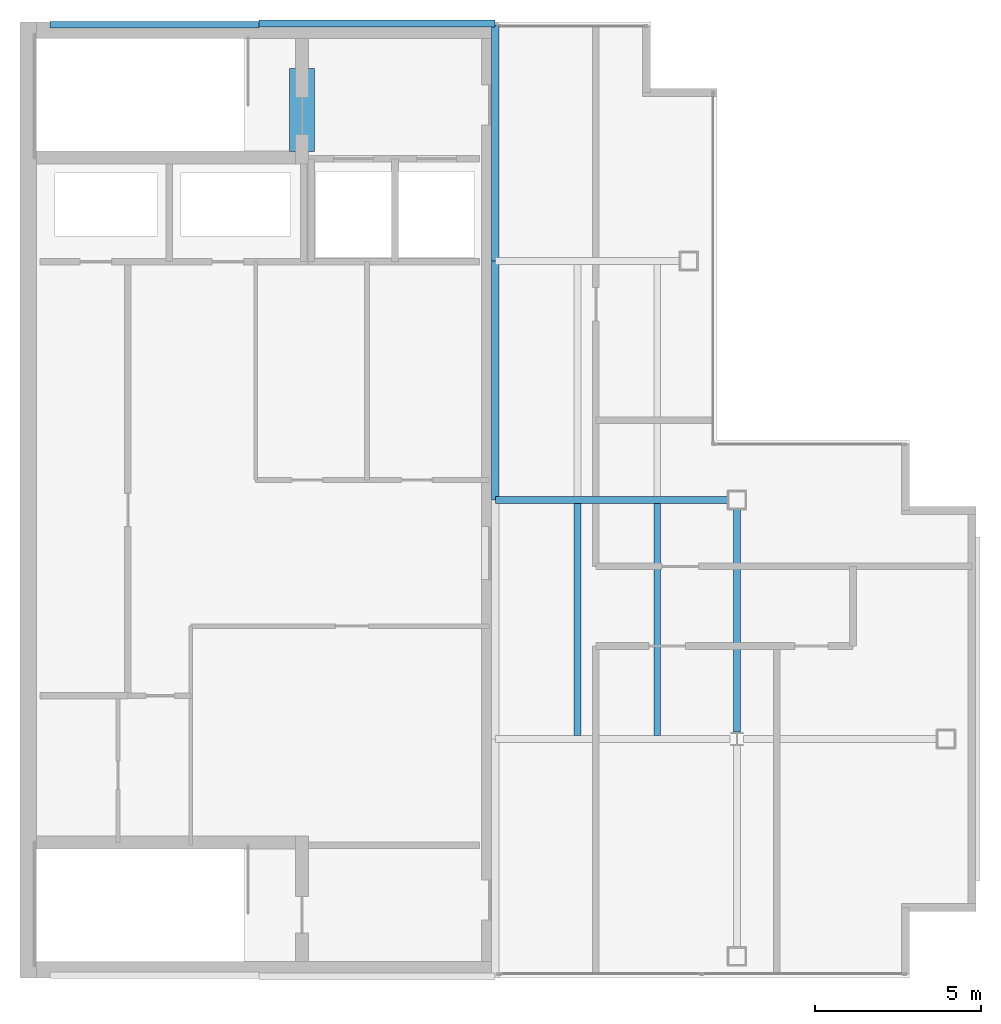
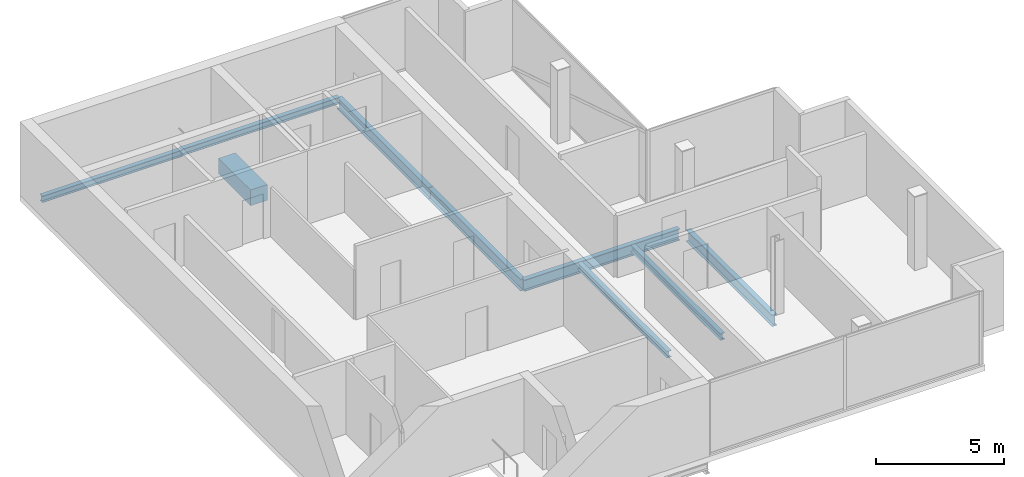
# One storey, part 7 of 15: 9 beams.
"""IFC4 building model written with IfcOpenShell, lengths in metres."""

from ifc_helpers import new_model, si_unit, direction, frame, origin, origin_2d, place, context, subcontext, project, spatial, rectangle, i_section, extrude, material, material_profile, profile_set, type_object, element, save


model = new_model("IFC4")

# Units and contexts
model_context = context("Model", 3, precision=1e-05, world=origin(), true_north=direction((0.0, 1.0)))
body_context = subcontext(model_context, "Body", "Model", "MODEL_VIEW")
ifc_project = project(units=[si_unit("LENGTHUNIT", "METRE"), si_unit("AREAUNIT", "SQUARE_METRE"), si_unit("VOLUMEUNIT", "CUBIC_METRE"), si_unit("PLANEANGLEUNIT", "RADIAN"), si_unit("MASSUNIT", "GRAM", prefix="KILO")], contexts=[model_context])

# Site, building, storey
site_placement = place(None, origin())
site = spatial("IfcSite", under=ifc_project, at=site_placement, CompositionType="ELEMENT")
building_placement = place(site_placement, origin())
building = spatial("IfcBuilding", under=site, at=building_placement, Name="Cobrela Telecom Tower", CompositionType="ELEMENT")
storey_placement = place(building_placement, frame((0.0, 0.0, 301.35009765625)))
storey = spatial("IfcBuildingStorey", under=building, at=storey_placement, Name="L79", CompositionType="ELEMENT", Elevation=301.35009765625)

# Beams
ifc_material_1 = material(Name="Concrete C40/50", Category="concrete")
ifc_material_profile_1 = material_profile(ifc_material_1, rectangle(XDim=0.75, YDim=0.75, at=origin_2d()), Name="RC 750x750")
ifc_profile_set_1 = profile_set([ifc_material_profile_1], Name="Concrete C40/50")
beam_type_1 = type_object("IfcBeamType", Name="BM-COUP-RC", PredefinedType="LINTEL", material=ifc_profile_set_1)
beam_1_placement = place(storey_placement, frame((8.5, 32.10009765625, -0.610107421875), z_axis=(0.0, 1.0, 0.0), x_axis=(-1.0, 0.0, 0.0)))
element("IfcBeam", 1, at=beam_1_placement, inside=storey, type_object=beam_type_1, Name="L79 Core Coupling Lintel Beam", PredefinedType="LINTEL", context=body_context, shape_type="SweptSolid", body=[
    extrude(rectangle(XDim=0.75, YDim=0.75, at=origin_2d()), origin(), (0.0, 0.0, 1.0), 2.5),
])
ifc_material_2 = material(Name="Steel ASTM A992 Grade 50", Category="steel")
ifc_material_profile_2 = material_profile(ifc_material_2, i_section(OverallWidth=0.212890625, OverallDepth=0.549072265625, WebThickness=0.0146484375, FlangeThickness=0.023681640625, FilletRadius=0.013916015625, at=origin_2d()), Name="W21X93")
ifc_profile_set_2 = profile_set([ifc_material_profile_2], Name="Steel ASTM A992 Grade 50")
beam_type_2 = type_object("IfcBeamType", Name="BM-GIRD-08", PredefinedType="USERDEFINED", material=ifc_profile_set_2)
beam_2_placement = place(storey_placement, frame((14.324951171875, 21.60009765625, -0.53466796875), z_axis=(1.0, 0.0, 0.0), x_axis=(0.0, 1.0, 0.0)))
element("IfcBeam", 2, at=beam_2_placement, inside=storey, type_object=beam_type_2, Name="L79 Primary Girder X05", ObjectType="GIRDER", PredefinedType="USERDEFINED", context=body_context, shape_type="SweptSolid", body=[
    extrude(i_section(OverallWidth=0.212890625, OverallDepth=0.549072265625, WebThickness=0.0146484375, FlangeThickness=0.023681640625, FilletRadius=0.013916015625, at=origin_2d()), origin(), (0.0, 0.0, 1.0), 6.9951171875),
])
beam_3_placement = place(storey_placement, frame((14.320068359375, 21.60498046875, -0.53466796875), z_axis=(0.0, 1.0, 0.0), x_axis=(-1.0, 0.0, 0.0)))
element("IfcBeam", 3, at=beam_3_placement, inside=storey, type_object=beam_type_2, Name="L79 Primary Girder Y11", ObjectType="GIRDER", PredefinedType="USERDEFINED", context=body_context, shape_type="SweptSolid", body=[
    extrude(i_section(OverallWidth=0.212890625, OverallDepth=0.549072265625, WebThickness=0.0146484375, FlangeThickness=0.023681640625, FilletRadius=0.013916015625, at=origin_2d()), origin(), (0.0, 0.0, 1.0), 7.18994140625),
])
beam_4_placement = place(storey_placement, frame((14.320068359375, 28.804931640625, -0.53466796875), z_axis=(0.0, 1.0, 0.0), x_axis=(-1.0, 0.0, 0.0)))
element("IfcBeam", 4, at=beam_4_placement, inside=storey, type_object=beam_type_2, Name="L79 Primary Girder Y12", ObjectType="GIRDER", PredefinedType="USERDEFINED", context=body_context, shape_type="SweptSolid", body=[
    extrude(i_section(OverallWidth=0.212890625, OverallDepth=0.549072265625, WebThickness=0.0146484375, FlangeThickness=0.023681640625, FilletRadius=0.013916015625, at=origin_2d()), origin(), (0.0, 0.0, 1.0), 7.110107421875),
])
beam_5_placement = place(storey_placement, frame((21.60009765625, 14.6044921875, -0.53466796875), z_axis=(0.0, 1.0, 0.0), x_axis=(-1.0, 0.0, 0.0)))
element("IfcBeam", 5, at=beam_5_placement, inside=storey, type_object=beam_type_2, Name="L79 Primary Girder Y14", ObjectType="GIRDER", PredefinedType="USERDEFINED", context=body_context, shape_type="SweptSolid", body=[
    extrude(i_section(OverallWidth=0.212890625, OverallDepth=0.549072265625, WebThickness=0.0146484375, FlangeThickness=0.023681640625, FilletRadius=0.013916015625, at=origin_2d()), origin(), (0.0, 0.0, 1.0), 6.715576171875),
])
ifc_material_profile_3 = material_profile(ifc_material_2, i_section(OverallWidth=0.205078125, OverallDepth=0.31005859375, WebThickness=0.009521484375, FlangeThickness=0.016357421875, FilletRadius=0.010986328125, at=origin_2d()), Name="W12X50")
ifc_profile_set_3 = profile_set([ifc_material_profile_3], Name="Steel ASTM A992 Grade 50")
beam_type_3 = type_object("IfcBeamType", Name="BM-JOIST-05", PredefinedType="JOIST", material=ifc_profile_set_3)
for number, where, z_axis, x_axis, name in (
    (6, (16.800048828125, 14.511474609375, -0.4150390625), (0.0, 1.0, 0.0), (-1.0, 0.0, 0.0), "L79 Secondary Composite Floor Beam J01"),
    (7, (19.199951171875, 14.511474609375, -0.4150390625), (0.0, 1.0, 0.0), (-1.0, 0.0, 0.0), "L79 Secondary Composite Floor Beam J03"),
):
    element("IfcBeam", number, at=place(storey_placement, frame(where, z_axis=z_axis, x_axis=x_axis)), inside=storey, type_object=beam_type_3, Name=name, PredefinedType="JOIST", context=body_context, shape_type="SweptSolid", body=[
        extrude(i_section(OverallWidth=0.205078125, OverallDepth=0.31005859375, WebThickness=0.009521484375, FlangeThickness=0.016357421875, FilletRadius=0.010986328125, at=origin_2d()), origin(), (0.0, 0.0, 1.0), 6.97705078125),
    ])
ifc_material_profile_4 = material_profile(ifc_material_2, i_section(OverallWidth=0.205078125, OverallDepth=0.31005859375, WebThickness=0.009521484375, FlangeThickness=0.016357421875, FilletRadius=0.010986328125, at=origin_2d()), Name="W12X50")
ifc_profile_set_4 = profile_set([ifc_material_profile_4], Name="Steel ASTM A992 Grade 50")
beam_type_4 = type_object("IfcBeamType", Name="BM-SPAND-07", PredefinedType="SPANDREL", material=ifc_profile_set_4)
beam_6_placement = place(storey_placement, frame((0.905029296875, 35.919921875, -0.4150390625), z_axis=(1.0, 0.0, 0.0), x_axis=(0.0, 1.0, 0.0)))
element("IfcBeam", 8, at=beam_6_placement, inside=storey, type_object=beam_type_4, Name="L79 Perimeter Spandrel X07", PredefinedType="SPANDREL", context=body_context, shape_type="SweptSolid", body=[
    extrude(i_section(OverallWidth=0.205078125, OverallDepth=0.31005859375, WebThickness=0.009521484375, FlangeThickness=0.016357421875, FilletRadius=0.010986328125, at=origin_2d()), origin(), (0.0, 0.0, 1.0), 6.2900390625),
])
beam_7_placement = place(storey_placement, frame((7.205078125, 35.9599609375, -0.4150390625), z_axis=(1.0, 0.0, 0.0), x_axis=(0.0, 1.0, 0.0)))
element("IfcBeam", 9, at=beam_7_placement, inside=storey, type_object=beam_type_4, Name="L79 Perimeter Spandrel X08", PredefinedType="SPANDREL", context=body_context, shape_type="SweptSolid", body=[
    extrude(i_section(OverallWidth=0.205078125, OverallDepth=0.31005859375, WebThickness=0.009521484375, FlangeThickness=0.016357421875, FilletRadius=0.010986328125, at=origin_2d()), origin(), (0.0, 0.0, 1.0), 7.10986328125),
])

save(model, "model.ifc")
